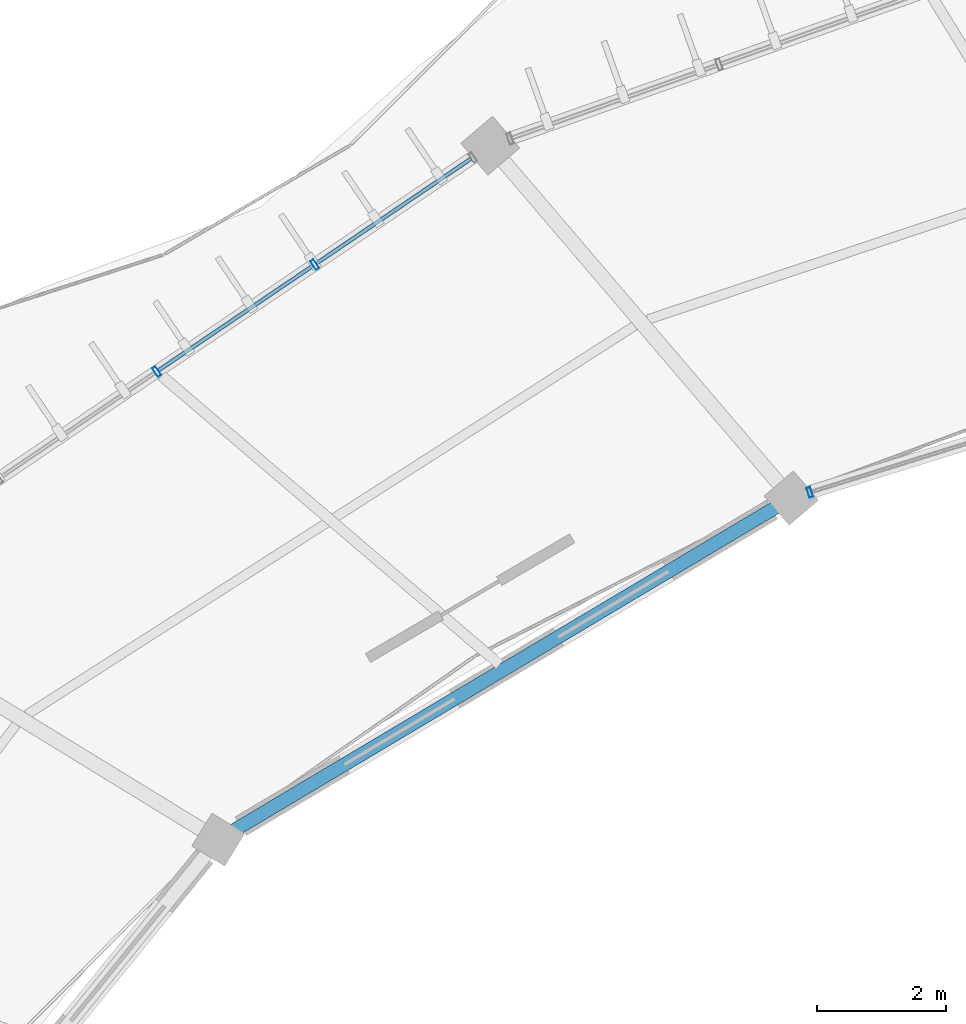
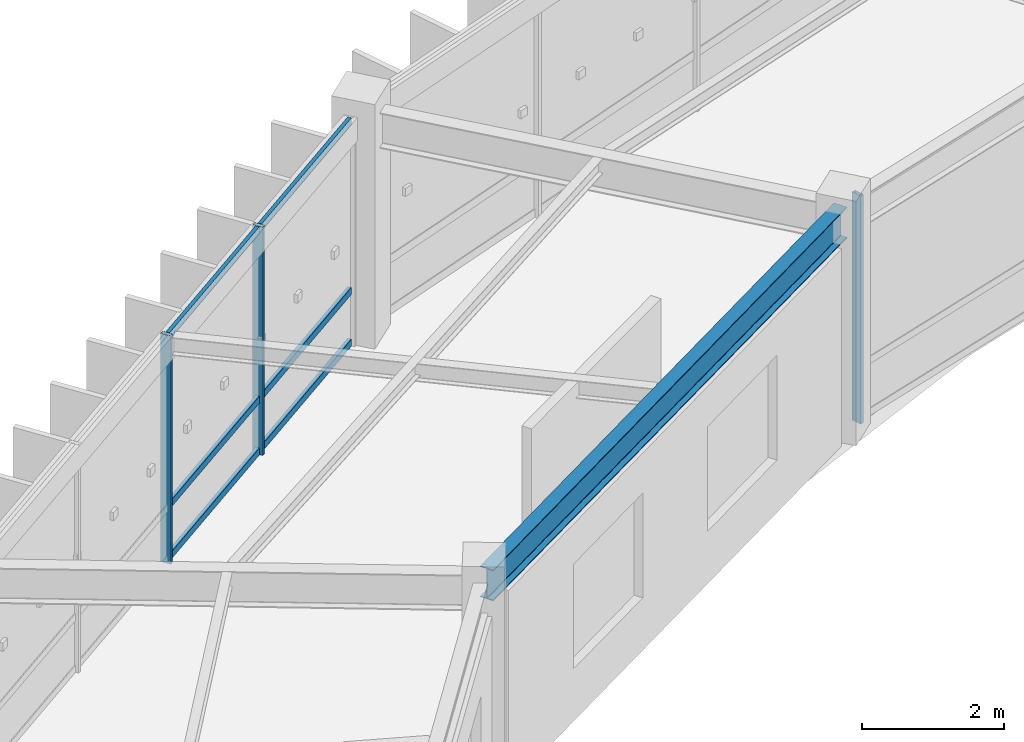
# One storey, part 41 of 114: 9 members, 1 beam, 2 elements without a shape of their own.
"""IFC4 building model written with IfcOpenShell, lengths in metres."""

from ifc_helpers import new_model, si_unit, direction, frame, origin, origin_2d, place, context, subcontext, project, spatial, hollow_rectangle, i_section, extrude, material, material_profile, profile_set, type_object, element, aggregate, save


model = new_model("IFC4")

# Units and contexts
model_context = context("Model", 3, precision=1e-05, world=origin(), true_north=direction((0.0, 1.0)))
body_context = subcontext(model_context, "Body", "Model", "MODEL_VIEW")
ifc_project = project(units=[si_unit("LENGTHUNIT", "METRE"), si_unit("AREAUNIT", "SQUARE_METRE"), si_unit("VOLUMEUNIT", "CUBIC_METRE"), si_unit("PLANEANGLEUNIT", "RADIAN"), si_unit("MASSUNIT", "GRAM", prefix="KILO"), si_unit("THERMODYNAMICTEMPERATUREUNIT", "KELVIN"), si_unit("POWERUNIT", "WATT")], contexts=[model_context])

# Site, building, storey
site_placement = place(None, origin())
site = spatial("IfcSite", under=ifc_project, at=site_placement, CompositionType="ELEMENT")
building_placement = place(site_placement, origin())
building = spatial("IfcBuilding", under=site, at=building_placement, Name="Darbajah Civic Hall", CompositionType="ELEMENT")
storey_placement = place(building_placement, frame((0.0, 0.0, 13.800048828125)))
storey = spatial("IfcBuildingStorey", under=building, at=storey_placement, Name="L03", CompositionType="ELEMENT", Elevation=13.800048828125)

# Curtain wall, member
ifc_material_1 = material(Name="Anodised Bronze Aluminium and Low-E Glazing", Category="aluminium")
curtain_wall_type_1 = type_object("IfcCurtainWallType", Name="Unitised Curtain Wall CW-43 11600x3900", PredefinedType="USERDEFINED", material=ifc_material_1)
curtain_wall_1_placement = place(storey_placement, origin())
curtain_wall_1 = element("IfcCurtainWall", 1, at=curtain_wall_1_placement, inside=storey, type_object=curtain_wall_type_1, Name="L03 unitised curtain wall CW-V1I-L03-06", ObjectType="UNITISED CURTAIN WALL", PredefinedType="USERDEFINED")
ifc_material_2 = material(Name="Anodised Bronze Aluminium", Category="aluminium")
ifc_material_profile_1 = material_profile(ifc_material_2, hollow_rectangle(XDim=0.06005859375, YDim=0.159912109375, WallThickness=0.00341796875, at=origin_2d()), Name="ALU MULLION 60x160")
ifc_profile_set_1 = profile_set([ifc_material_profile_1], Name="Anodised Bronze Aluminium")
member_type_1 = type_object("IfcMemberType", Name="ALU MULLION 60x160", PredefinedType="MULLION", material=ifc_profile_set_1)
member_1_placement = place(storey_placement, frame((60.9423828125, 106.846923828125, 0.0), z_axis=(0.0, 0.0, 1.0), x_axis=(-0.954604963513, -0.297874744877, 0.0)))
member_1 = element("IfcMember", 2, at=member_1_placement, type_object=member_type_1, Name="CW-V1I-L03-06 mullion 4", PredefinedType="MULLION", context=body_context, shape_type="SweptSolid", body=[
    extrude(hollow_rectangle(XDim=0.06005859375, YDim=0.159912109375, WallThickness=0.00341796875, at=origin_2d()), origin(), (0.0, 0.0, 1.0), 3.919921875),
])
aggregate(curtain_wall_1, [member_1])

# Curtain wall, members
curtain_wall_type_2 = type_object("IfcCurtainWallType", Name="Unitised Curtain Wall CW-58 11900x3900", PredefinedType="USERDEFINED", material=ifc_material_1)
curtain_wall_2_placement = place(storey_placement, origin())
curtain_wall_2 = element("IfcCurtainWall", 3, at=curtain_wall_2_placement, inside=storey, type_object=curtain_wall_type_2, Name="L03 unitised curtain wall CW-V1O-L03-07", ObjectType="UNITISED CURTAIN WALL", PredefinedType="USERDEFINED")
member_2_placement = place(storey_placement, frame((53.252197265625, 110.3857421875, 0.0), z_axis=(0.0, 0.0, 1.0), x_axis=(-0.827962472047, -0.560783509816, 0.0)))
member_2 = element("IfcMember", 4, at=member_2_placement, type_object=member_type_1, Name="CW-V1O-L03-07 mullion 2", PredefinedType="MULLION", context=body_context, shape_type="SweptSolid", body=[
    extrude(hollow_rectangle(XDim=0.06005859375, YDim=0.159912109375, WallThickness=0.00341796875, at=origin_2d()), origin(), (0.0, 0.0, 1.0), 3.919921875),
])
member_3_placement = place(storey_placement, frame((50.796875, 108.722900390625, 0.0), z_axis=(0.0, 0.0, 1.0), x_axis=(-0.827962472047, -0.560783509816, 0.0)))
member_3 = element("IfcMember", 5, at=member_3_placement, type_object=member_type_1, Name="CW-V1O-L03-07 mullion 3", PredefinedType="MULLION", context=body_context, shape_type="SweptSolid", body=[
    extrude(hollow_rectangle(XDim=0.06005859375, YDim=0.159912109375, WallThickness=0.00341796875, at=origin_2d()), origin(), (0.0, 0.0, 1.0), 3.919921875),
])
ifc_material_profile_2 = material_profile(ifc_material_2, hollow_rectangle(XDim=0.06005859375, YDim=0.1201171875, WallThickness=0.003173828125, at=origin_2d()), Name="ALU TRANSOM 60x120")
ifc_profile_set_2 = profile_set([ifc_material_profile_2], Name="Anodised Bronze Aluminium")
member_type_2 = type_object("IfcMemberType", Name="ALU TRANSOM 60x120", PredefinedType="USERDEFINED", material=ifc_profile_set_2)
member_4_placement = place(storey_placement, frame((55.678466796875, 112.029052734375, 0.06005859375), z_axis=(-0.828007088268, -0.560717631057, 0.0), x_axis=(0.560717631057, -0.828007088268, 0.0)))
member_4 = element("IfcMember", 6, at=member_4_placement, type_object=member_type_2, Name="CW-V1O-L03-07 transom 1.1", ObjectType="TRANSOM", PredefinedType="USERDEFINED", context=body_context, shape_type="SweptSolid", body=[
    extrude(hollow_rectangle(XDim=0.06005859375, YDim=0.1201171875, WallThickness=0.003173828125, at=origin_2d()), origin(), (0.0, 0.0, 1.0), 2.8955078125),
])
member_5_placement = place(storey_placement, frame((55.678466796875, 112.029052734375, 0.949951171875), z_axis=(-0.828007088268, -0.560717631057, 0.0), x_axis=(0.560717631057, -0.828007088268, 0.0)))
member_5 = element("IfcMember", 7, at=member_5_placement, type_object=member_type_2, Name="CW-V1O-L03-07 transom 1.2", ObjectType="TRANSOM", PredefinedType="USERDEFINED", context=body_context, shape_type="SweptSolid", body=[
    extrude(hollow_rectangle(XDim=0.06005859375, YDim=0.1201171875, WallThickness=0.003173828125, at=origin_2d()), origin(), (0.0, 0.0, 1.0), 2.8955078125),
])
member_6_placement = place(storey_placement, frame((55.678466796875, 112.029052734375, 3.85986328125), z_axis=(-0.828007088268, -0.560717631057, 0.0), x_axis=(0.560717631057, -0.828007088268, 0.0)))
member_6 = element("IfcMember", 8, at=member_6_placement, type_object=member_type_2, Name="CW-V1O-L03-07 transom 1.3", ObjectType="TRANSOM", PredefinedType="USERDEFINED", context=body_context, shape_type="SweptSolid", body=[
    extrude(hollow_rectangle(XDim=0.06005859375, YDim=0.1201171875, WallThickness=0.003173828125, at=origin_2d()), origin(), (0.0, 0.0, 1.0), 2.8955078125),
])
member_7_placement = place(storey_placement, frame((53.22314453125, 110.3662109375, 0.06005859375), z_axis=(-0.827967940889, -0.560775435321, 0.0), x_axis=(0.560775435321, -0.827967940889, 0.0)))
member_7 = element("IfcMember", 9, at=member_7_placement, type_object=member_type_2, Name="CW-V1O-L03-07 transom 2.1", ObjectType="TRANSOM", PredefinedType="USERDEFINED", context=body_context, shape_type="SweptSolid", body=[
    extrude(hollow_rectangle(XDim=0.06005859375, YDim=0.1201171875, WallThickness=0.003173828125, at=origin_2d()), origin(), (0.0, 0.0, 1.0), 2.8955078125),
])
member_8_placement = place(storey_placement, frame((53.22314453125, 110.3662109375, 0.949951171875), z_axis=(-0.827967940889, -0.560775435321, 0.0), x_axis=(0.560775435321, -0.827967940889, 0.0)))
member_8 = element("IfcMember", 10, at=member_8_placement, type_object=member_type_2, Name="CW-V1O-L03-07 transom 2.2", ObjectType="TRANSOM", PredefinedType="USERDEFINED", context=body_context, shape_type="SweptSolid", body=[
    extrude(hollow_rectangle(XDim=0.06005859375, YDim=0.1201171875, WallThickness=0.003173828125, at=origin_2d()), origin(), (0.0, 0.0, 1.0), 2.8955078125),
])
member_9_placement = place(storey_placement, frame((53.22314453125, 110.3662109375, 3.85986328125), z_axis=(-0.827967940889, -0.560775435321, 0.0), x_axis=(0.560775435321, -0.827967940889, 0.0)))
member_9 = element("IfcMember", 11, at=member_9_placement, type_object=member_type_2, Name="CW-V1O-L03-07 transom 2.3", ObjectType="TRANSOM", PredefinedType="USERDEFINED", context=body_context, shape_type="SweptSolid", body=[
    extrude(hollow_rectangle(XDim=0.06005859375, YDim=0.1201171875, WallThickness=0.003173828125, at=origin_2d()), origin(), (0.0, 0.0, 1.0), 2.8955078125),
])
aggregate(curtain_wall_2, [member_2, member_3, member_4, member_5, member_6, member_7, member_8, member_9])

# Beam
ifc_material_3 = material(Name="Steel S355JR", Category="steel")
ifc_material_profile_3 = material_profile(ifc_material_3, i_section(OverallWidth=0.209228515625, OverallDepth=0.533203125, WebThickness=0.010009765625, FlangeThickness=0.015625, FilletRadius=0.0126953125, at=origin_2d()), Name="UB 533x210x92")
ifc_profile_set_3 = profile_set([ifc_material_profile_3], Name="Steel S355JR")
beam_type = type_object("IfcBeamType", Name="UB 533x210x92", PredefinedType="BEAM", material=ifc_profile_set_3)
beam_placement = place(storey_placement, frame((60.58544921875, 106.716064453125, 3.653564453125), z_axis=(-0.858963370671, -0.512037037572, 0.0), x_axis=(0.512037037572, -0.858963370671, 0.0)))
element("IfcBeam", 12, at=beam_placement, inside=storey, type_object=beam_type, Name="L03 beam SB-533", PredefinedType="BEAM", context=body_context, shape_type="SweptSolid", body=[
    extrude(i_section(OverallWidth=0.209228515625, OverallDepth=0.533203125, WebThickness=0.010009765625, FlangeThickness=0.015625, FilletRadius=0.0126953125, at=origin_2d()), origin(), (0.0, 0.0, 1.0), 10.201171875),
])

save(model, "model.ifc")
